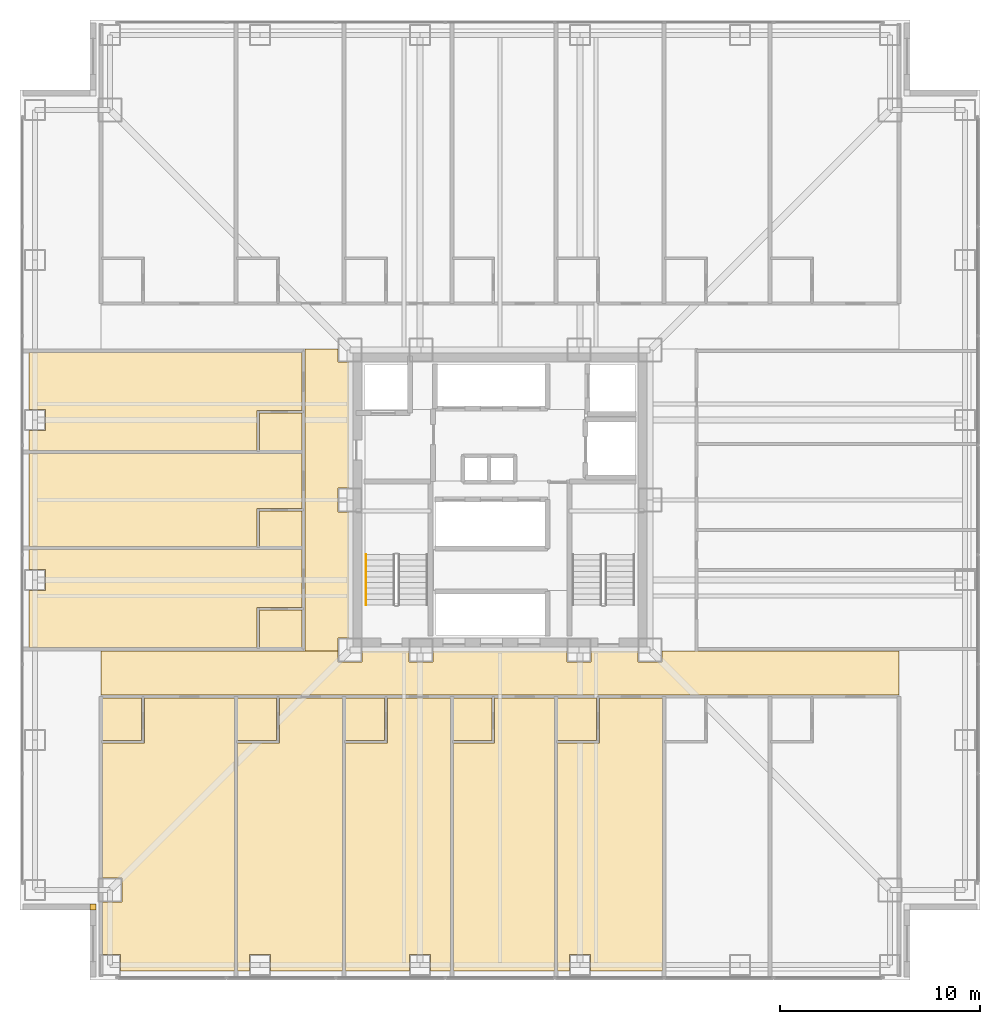
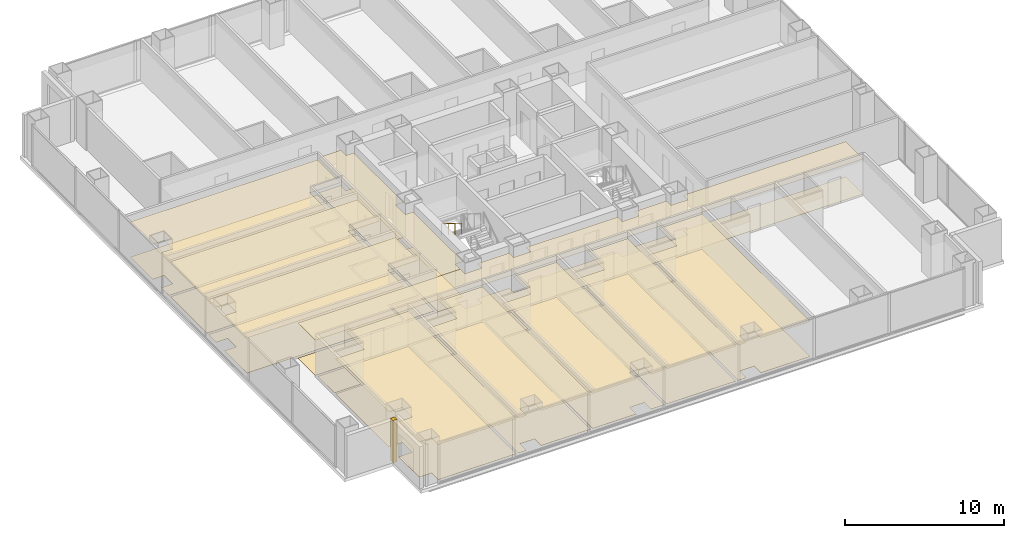
# One storey, part 15 of 17: 29 coverings, 1 railing.
"""IFC4 building model written with IfcOpenShell, lengths in metres."""

from ifc_helpers import new_model, si_unit, direction, frame, origin, origin_2d, place, context, subcontext, project, spatial, polyline, circle, outline, extrude, material, layer, layer_set, type_object, element, save


model = new_model("IFC4")

# Units and contexts
model_context = context("Model", 3, precision=1e-05, world=origin(), true_north=direction((0.0, 1.0)))
body_context = subcontext(model_context, "Body", "Model", "MODEL_VIEW")
ifc_project = project(units=[si_unit("LENGTHUNIT", "METRE"), si_unit("AREAUNIT", "SQUARE_METRE"), si_unit("VOLUMEUNIT", "CUBIC_METRE"), si_unit("PLANEANGLEUNIT", "RADIAN"), si_unit("MASSUNIT", "GRAM", prefix="KILO")], contexts=[model_context])

# Site, building, storey
site_placement = place(None, origin())
site = spatial("IfcSite", under=ifc_project, at=site_placement, CompositionType="ELEMENT")
building_placement = place(site_placement, origin())
building = spatial("IfcBuilding", under=site, at=building_placement, Name="Trevonay Congress Spire", CompositionType="ELEMENT")
storey_placement = place(building_placement, frame((0.0, 0.0, 30.5)))
storey = spatial("IfcBuildingStorey", under=building, at=storey_placement, Name="L06", CompositionType="ELEMENT", Elevation=30.5)

# Coverings
ifc_material_1 = material(Name="Acoustic Mineral Fibre Board", Category="gypsum")
ifc_layer_1 = layer(ifc_material_1, 0.02490234375, Name="Acoustic Mineral Fibre Board")
ifc_layer_set_1 = layer_set([ifc_layer_1], Name="Acoustic Mineral Fibre Board")
covering_type_1 = type_object("IfcCoveringType", Name="COV-CEIL-ACOUSTIC", PredefinedType="CEILING", material=ifc_layer_set_1)
covering_1_placement = place(storey_placement, frame((0.0, 0.0, 2.699951171875)))
element("IfcCovering", 1, at=covering_1_placement, inside=storey, type_object=covering_type_1, Name="L06 Hotel Floor Corridor South acoustic suspended ceiling", PredefinedType="CEILING", context=body_context, shape_type="SweptSolid", body=[
    extrude(outline(polyline([(19.949951171875, -7.550048828125), (19.949951171875, -9.75), (-19.949951171875, -9.75), (-19.949951171875, -7.550048828125), (-8.110107421875, -7.550048828125), (-8.110107421875, -8.110107421875), (-6.889892578125, -8.110107421875), (-6.889892578125, -7.550048828125), (-4.56005859375, -7.550048828125), (-4.56005859375, -8.110107421875), (-3.340087890625, -8.110107421875), (-3.340087890625, -7.550048828125), (3.340087890625, -7.550048828125), (3.340087890625, -8.110107421875), (4.56005859375, -8.110107421875), (4.56005859375, -7.550048828125), (6.889892578125, -7.550048828125), (6.889892578125, -8.110107421875), (8.110107421875, -8.110107421875), (8.110107421875, -7.550048828125), (19.949951171875, -7.550048828125)])), origin(), (0.0, 0.0, 1.0), 0.025146484375),
])
covering_2_placement = place(storey_placement, frame((0.0, 0.0, 2.699951171875)))
element("IfcCovering", 2, at=covering_2_placement, inside=storey, type_object=covering_type_1, Name="L06 Hotel Floor Corridor West acoustic suspended ceiling", PredefinedType="CEILING", context=body_context, shape_type="SweptSolid", body=[
    extrude(outline(polyline([(-9.75, 7.550048828125), (-8.110107421875, 7.550048828125), (-8.110107421875, 6.889892578125), (-7.550048828125, 6.889892578125), (-7.550048828125, 0.610107421875), (-8.110107421875, 0.610107421875), (-8.110107421875, -0.610107421875), (-7.550048828125, -0.610107421875), (-7.550048828125, -6.889892578125), (-8.110107421875, -6.889892578125), (-8.110107421875, -7.550048828125), (-9.75, -7.550048828125), (-9.75, 7.550048828125)])), origin(), (0.0, 0.0, 1.0), 0.025146484375),
])
covering_3_placement = place(storey_placement, frame((0.0, 0.0, 2.699951171875)))
element("IfcCovering", 3, at=covering_3_placement, inside=storey, type_object=covering_type_1, Name="L06 Corner Hotel Suite acoustic suspended ceiling", PredefinedType="CEILING", context=body_context, shape_type="SweptSolid", body=[
    extrude(outline(polyline([(-19.8701171875, -12.139892578125), (-17.780029296875, -12.139892578125), (-17.780029296875, -9.909912109375), (-13.280029296875, -9.909912109375), (-13.280029296875, -23.550048828125), (-18.965087890625, -23.550048828125), (-18.965087890625, -22.715087890625), (-19.8701171875, -22.715087890625), (-19.8701171875, -20.110107421875), (-18.889892578125, -20.110107421875), (-18.889892578125, -18.889892578125), (-19.8701171875, -18.889892578125), (-19.8701171875, -12.139892578125)])), origin(), (0.0, 0.0, 1.0), 0.025146484375),
])
covering_4_placement = place(storey_placement, frame((0.0, 0.0, 2.699951171875)))
element("IfcCovering", 4, at=covering_4_placement, inside=storey, type_object=covering_type_1, Name="L06 Hotel Guest Room acoustic suspended ceiling", PredefinedType="CEILING", context=body_context, shape_type="SweptSolid", body=[
    extrude(outline(polyline([(-13.1201171875, -23.550048828125), (-13.1201171875, -12.139892578125), (-11.030029296875, -12.139892578125), (-11.030029296875, -9.909912109375), (-7.8798828125, -9.909912109375), (-7.8798828125, -23.550048828125), (-11.465087890625, -23.550048828125), (-11.465087890625, -22.715087890625), (-12.534912109375, -22.715087890625), (-12.534912109375, -23.550048828125), (-13.1201171875, -23.550048828125)])), origin(), (0.0, 0.0, 1.0), 0.025146484375),
])
covering_5_placement = place(storey_placement, frame((0.0, 0.0, 2.699951171875)))
element("IfcCovering", 5, at=covering_5_placement, inside=storey, type_object=covering_type_1, Name="L06 Hotel Guest Room acoustic suspended ceiling", PredefinedType="CEILING", context=body_context, shape_type="SweptSolid", body=[
    extrude(outline(polyline([(-7.719970703125, -23.550048828125), (-7.719970703125, -12.139892578125), (-5.6298828125, -12.139892578125), (-5.6298828125, -9.909912109375), (-2.47998046875, -9.909912109375), (-2.47998046875, -23.550048828125), (-3.465087890625, -23.550048828125), (-3.465087890625, -22.715087890625), (-4.534912109375, -22.715087890625), (-4.534912109375, -23.550048828125), (-7.719970703125, -23.550048828125)])), origin(), (0.0, 0.0, 1.0), 0.025146484375),
])
covering_6_placement = place(storey_placement, frame((0.0, 0.0, 2.699951171875)))
element("IfcCovering", 6, at=covering_6_placement, inside=storey, type_object=covering_type_1, Name="L06 Hotel Guest Room acoustic suspended ceiling", PredefinedType="CEILING", context=body_context, shape_type="SweptSolid", body=[
    extrude(outline(polyline([(-2.320068359375, -23.550048828125), (2.719970703125, -23.550048828125), (2.719970703125, -9.909912109375), (-0.264892578125, -9.909912109375), (-0.264892578125, -12.139892578125), (-2.320068359375, -12.139892578125), (-2.320068359375, -23.550048828125)])), origin(), (0.0, 0.0, 1.0), 0.025146484375),
])
covering_7_placement = place(storey_placement, frame((0.0, 0.0, 2.699951171875)))
element("IfcCovering", 7, at=covering_7_placement, inside=storey, type_object=covering_type_1, Name="L06 Hotel Guest Room acoustic suspended ceiling", PredefinedType="CEILING", context=body_context, shape_type="SweptSolid", body=[
    extrude(outline(polyline([(2.8798828125, -23.550048828125), (2.8798828125, -12.139892578125), (4.969970703125, -12.139892578125), (4.969970703125, -9.909912109375), (8.1201171875, -9.909912109375), (8.1201171875, -23.550048828125), (4.534912109375, -23.550048828125), (4.534912109375, -22.715087890625), (3.465087890625, -22.715087890625), (3.465087890625, -23.550048828125), (2.8798828125, -23.550048828125)])), origin(), (0.0, 0.0, 1.0), 0.025146484375),
])
covering_8_placement = place(storey_placement, frame((0.0, 0.0, 2.699951171875)))
element("IfcCovering", 8, at=covering_8_placement, inside=storey, type_object=covering_type_1, Name="L06 Hotel Guest Room acoustic suspended ceiling", PredefinedType="CEILING", context=body_context, shape_type="SweptSolid", body=[
    extrude(outline(polyline([(-23.550048828125, -4.534912109375), (-22.715087890625, -4.534912109375), (-22.715087890625, -3.465087890625), (-23.550048828125, -3.465087890625), (-23.550048828125, -2.47998046875), (-9.909912109375, -2.47998046875), (-9.909912109375, -5.3720703125), (-12.139892578125, -5.3720703125), (-12.139892578125, -7.3701171875), (-23.550048828125, -7.3701171875), (-23.550048828125, -4.534912109375)])), origin(), (0.0, 0.0, 1.0), 0.025146484375),
])
covering_9_placement = place(storey_placement, frame((0.0, 0.0, 2.699951171875)))
element("IfcCovering", 9, at=covering_9_placement, inside=storey, type_object=covering_type_1, Name="L06 Corner Hotel Suite acoustic suspended ceiling", PredefinedType="CEILING", context=body_context, shape_type="SweptSolid", body=[
    extrude(outline(polyline([(-23.550048828125, -2.320068359375), (-23.550048828125, 2.320068359375), (-9.909912109375, 2.320068359375), (-9.909912109375, -0.4169921875), (-12.139892578125, -0.4169921875), (-12.139892578125, -2.320068359375), (-23.550048828125, -2.320068359375)])), origin(), (0.0, 0.0, 1.0), 0.025146484375),
])
covering_10_placement = place(storey_placement, frame((0.0, 0.0, 2.699951171875)))
element("IfcCovering", 10, at=covering_10_placement, inside=storey, type_object=covering_type_1, Name="L06 Hotel Guest Room acoustic suspended ceiling", PredefinedType="CEILING", context=body_context, shape_type="SweptSolid", body=[
    extrude(outline(polyline([(-23.550048828125, 3.465087890625), (-22.715087890625, 3.465087890625), (-22.715087890625, 4.534912109375), (-23.550048828125, 4.534912109375), (-23.550048828125, 7.3701171875), (-9.909912109375, 7.3701171875), (-9.909912109375, 4.47802734375), (-12.139892578125, 4.47802734375), (-12.139892578125, 2.47998046875), (-23.550048828125, 2.47998046875), (-23.550048828125, 3.465087890625)])), origin(), (0.0, 0.0, 1.0), 0.025146484375),
])
ifc_material_2 = material(Name="Polished Granite Floor Tile", Category="masonry")
ifc_layer_2 = layer(ifc_material_2, 0.02001953125, Name="Polished Granite Floor Tile")
ifc_layer_set_2 = layer_set([ifc_layer_2], Name="Polished Granite Floor Tile")
covering_type_2 = type_object("IfcCoveringType", Name="COV-FLOOR-STONE", PredefinedType="FLOORING", material=ifc_layer_set_2)
covering_11_placement = place(storey_placement, origin())
element("IfcCovering", 11, at=covering_11_placement, inside=storey, type_object=covering_type_2, Name="L06 Hotel Floor Corridor South floor finish", PredefinedType="FLOORING", context=body_context, shape_type="SweptSolid", body=[
    extrude(outline(polyline([(19.949951171875, -7.550048828125), (19.949951171875, -9.75), (-19.949951171875, -9.75), (-19.949951171875, -7.550048828125), (-8.110107421875, -7.550048828125), (-8.110107421875, -8.110107421875), (-6.889892578125, -8.110107421875), (-6.889892578125, -7.550048828125), (-4.56005859375, -7.550048828125), (-4.56005859375, -8.110107421875), (-3.340087890625, -8.110107421875), (-3.340087890625, -7.550048828125), (3.340087890625, -7.550048828125), (3.340087890625, -8.110107421875), (4.56005859375, -8.110107421875), (4.56005859375, -7.550048828125), (6.889892578125, -7.550048828125), (6.889892578125, -8.110107421875), (8.110107421875, -8.110107421875), (8.110107421875, -7.550048828125), (19.949951171875, -7.550048828125)])), origin(), (0.0, 0.0, 1.0), 0.02001953125),
])
covering_12_placement = place(storey_placement, origin())
element("IfcCovering", 12, at=covering_12_placement, inside=storey, type_object=covering_type_2, Name="L06 Hotel Floor Corridor West floor finish", PredefinedType="FLOORING", context=body_context, shape_type="SweptSolid", body=[
    extrude(outline(polyline([(-9.75, 7.550048828125), (-8.110107421875, 7.550048828125), (-8.110107421875, 6.889892578125), (-7.550048828125, 6.889892578125), (-7.550048828125, 0.610107421875), (-8.110107421875, 0.610107421875), (-8.110107421875, -0.610107421875), (-7.550048828125, -0.610107421875), (-7.550048828125, -6.889892578125), (-8.110107421875, -6.889892578125), (-8.110107421875, -7.550048828125), (-9.75, -7.550048828125), (-9.75, 7.550048828125)])), origin(), (0.0, 0.0, 1.0), 0.02001953125),
])
covering_13_placement = place(storey_placement, origin())
element("IfcCovering", 13, at=covering_13_placement, inside=storey, type_object=covering_type_2, Name="L06 En-suite Bathroom floor finish", PredefinedType="FLOORING", context=body_context, shape_type="SweptSolid", body=[
    extrude(outline(polyline([(-19.8701171875, -12.02001953125), (-17.919921875, -12.02001953125), (-17.919921875, -9.909912109375), (-19.8701171875, -9.909912109375), (-19.8701171875, -12.02001953125)])), origin(), (0.0, 0.0, 1.0), 0.02001953125),
])
covering_14_placement = place(storey_placement, origin())
element("IfcCovering", 14, at=covering_14_placement, inside=storey, type_object=covering_type_2, Name="L06 En-suite Bathroom floor finish", PredefinedType="FLOORING", context=body_context, shape_type="SweptSolid", body=[
    extrude(outline(polyline([(-13.1201171875, -12.02001953125), (-11.169921875, -12.02001953125), (-11.169921875, -9.909912109375), (-13.1201171875, -9.909912109375), (-13.1201171875, -12.02001953125)])), origin(), (0.0, 0.0, 1.0), 0.02001953125),
])
covering_15_placement = place(storey_placement, origin())
element("IfcCovering", 15, at=covering_15_placement, inside=storey, type_object=covering_type_2, Name="L06 En-suite Bathroom floor finish", PredefinedType="FLOORING", context=body_context, shape_type="SweptSolid", body=[
    extrude(outline(polyline([(-7.719970703125, -12.02001953125), (-5.77001953125, -12.02001953125), (-5.77001953125, -9.909912109375), (-7.719970703125, -9.909912109375), (-7.719970703125, -12.02001953125)])), origin(), (0.0, 0.0, 1.0), 0.02001953125),
])
covering_16_placement = place(storey_placement, origin())
element("IfcCovering", 16, at=covering_16_placement, inside=storey, type_object=covering_type_2, Name="L06 En-suite Bathroom floor finish", PredefinedType="FLOORING", context=body_context, shape_type="SweptSolid", body=[
    extrude(outline(polyline([(-2.320068359375, -12.02001953125), (-0.405029296875, -12.02001953125), (-0.405029296875, -9.909912109375), (-2.320068359375, -9.909912109375), (-2.320068359375, -12.02001953125)])), origin(), (0.0, 0.0, 1.0), 0.02001953125),
])
covering_17_placement = place(storey_placement, origin())
element("IfcCovering", 17, at=covering_17_placement, inside=storey, type_object=covering_type_2, Name="L06 En-suite Bathroom floor finish", PredefinedType="FLOORING", context=body_context, shape_type="SweptSolid", body=[
    extrude(outline(polyline([(2.8798828125, -12.02001953125), (4.830078125, -12.02001953125), (4.830078125, -9.909912109375), (2.8798828125, -9.909912109375), (2.8798828125, -12.02001953125)])), origin(), (0.0, 0.0, 1.0), 0.02001953125),
])
covering_18_placement = place(storey_placement, origin())
element("IfcCovering", 18, at=covering_18_placement, inside=storey, type_object=covering_type_2, Name="L06 En-suite Bathroom floor finish", PredefinedType="FLOORING", context=body_context, shape_type="SweptSolid", body=[
    extrude(outline(polyline([(-12.02001953125, -7.3701171875), (-9.909912109375, -7.3701171875), (-9.909912109375, -5.511962890625), (-12.02001953125, -5.511962890625), (-12.02001953125, -7.3701171875)])), origin(), (0.0, 0.0, 1.0), 0.02001953125),
])
covering_19_placement = place(storey_placement, origin())
element("IfcCovering", 19, at=covering_19_placement, inside=storey, type_object=covering_type_2, Name="L06 En-suite Bathroom floor finish", PredefinedType="FLOORING", context=body_context, shape_type="SweptSolid", body=[
    extrude(outline(polyline([(-12.02001953125, -2.320068359375), (-9.909912109375, -2.320068359375), (-9.909912109375, -0.556884765625), (-12.02001953125, -0.556884765625), (-12.02001953125, -2.320068359375)])), origin(), (0.0, 0.0, 1.0), 0.02001953125),
])
covering_20_placement = place(storey_placement, origin())
element("IfcCovering", 20, at=covering_20_placement, inside=storey, type_object=covering_type_2, Name="L06 En-suite Bathroom floor finish", PredefinedType="FLOORING", context=body_context, shape_type="SweptSolid", body=[
    extrude(outline(polyline([(-12.02001953125, 2.47998046875), (-9.909912109375, 2.47998046875), (-9.909912109375, 4.337890625), (-12.02001953125, 4.337890625), (-12.02001953125, 2.47998046875)])), origin(), (0.0, 0.0, 1.0), 0.02001953125),
])
ifc_material_3 = material(Name="Engineered Oak Flooring", Category="wood")
ifc_layer_3 = layer(ifc_material_3, 0.01806640625, Name="Engineered Oak Flooring")
ifc_layer_set_3 = layer_set([ifc_layer_3], Name="Engineered Oak Flooring")
covering_type_3 = type_object("IfcCoveringType", Name="COV-FLOOR-TIMBER", PredefinedType="FLOORING", material=ifc_layer_set_3)
covering_21_placement = place(storey_placement, origin())
element("IfcCovering", 21, at=covering_21_placement, inside=storey, type_object=covering_type_3, Name="L06 Corner Hotel Suite floor finish", PredefinedType="FLOORING", context=body_context, shape_type="SweptSolid", body=[
    extrude(outline(polyline([(-19.8701171875, -12.139892578125), (-17.780029296875, -12.139892578125), (-17.780029296875, -9.909912109375), (-13.280029296875, -9.909912109375), (-13.280029296875, -23.550048828125), (-18.965087890625, -23.550048828125), (-18.965087890625, -22.715087890625), (-19.8701171875, -22.715087890625), (-19.8701171875, -20.110107421875), (-18.889892578125, -20.110107421875), (-18.889892578125, -18.889892578125), (-19.8701171875, -18.889892578125), (-19.8701171875, -12.139892578125)])), origin(), (0.0, 0.0, 1.0), 0.01806640625),
])
covering_22_placement = place(storey_placement, origin())
element("IfcCovering", 22, at=covering_22_placement, inside=storey, type_object=covering_type_3, Name="L06 Hotel Guest Room floor finish", PredefinedType="FLOORING", context=body_context, shape_type="SweptSolid", body=[
    extrude(outline(polyline([(-13.1201171875, -23.550048828125), (-13.1201171875, -12.139892578125), (-11.030029296875, -12.139892578125), (-11.030029296875, -9.909912109375), (-7.8798828125, -9.909912109375), (-7.8798828125, -23.550048828125), (-11.465087890625, -23.550048828125), (-11.465087890625, -22.715087890625), (-12.534912109375, -22.715087890625), (-12.534912109375, -23.550048828125), (-13.1201171875, -23.550048828125)])), origin(), (0.0, 0.0, 1.0), 0.01806640625),
])
covering_23_placement = place(storey_placement, origin())
element("IfcCovering", 23, at=covering_23_placement, inside=storey, type_object=covering_type_3, Name="L06 Hotel Guest Room floor finish", PredefinedType="FLOORING", context=body_context, shape_type="SweptSolid", body=[
    extrude(outline(polyline([(-7.719970703125, -23.550048828125), (-7.719970703125, -12.139892578125), (-5.6298828125, -12.139892578125), (-5.6298828125, -9.909912109375), (-2.47998046875, -9.909912109375), (-2.47998046875, -23.550048828125), (-3.465087890625, -23.550048828125), (-3.465087890625, -22.715087890625), (-4.534912109375, -22.715087890625), (-4.534912109375, -23.550048828125), (-7.719970703125, -23.550048828125)])), origin(), (0.0, 0.0, 1.0), 0.01806640625),
])
covering_24_placement = place(storey_placement, origin())
element("IfcCovering", 24, at=covering_24_placement, inside=storey, type_object=covering_type_3, Name="L06 Hotel Guest Room floor finish", PredefinedType="FLOORING", context=body_context, shape_type="SweptSolid", body=[
    extrude(outline(polyline([(-2.320068359375, -23.550048828125), (2.719970703125, -23.550048828125), (2.719970703125, -9.909912109375), (-0.264892578125, -9.909912109375), (-0.264892578125, -12.139892578125), (-2.320068359375, -12.139892578125), (-2.320068359375, -23.550048828125)])), origin(), (0.0, 0.0, 1.0), 0.01806640625),
])
covering_25_placement = place(storey_placement, origin())
element("IfcCovering", 25, at=covering_25_placement, inside=storey, type_object=covering_type_3, Name="L06 Hotel Guest Room floor finish", PredefinedType="FLOORING", context=body_context, shape_type="SweptSolid", body=[
    extrude(outline(polyline([(2.8798828125, -23.550048828125), (2.8798828125, -12.139892578125), (4.969970703125, -12.139892578125), (4.969970703125, -9.909912109375), (8.1201171875, -9.909912109375), (8.1201171875, -23.550048828125), (4.534912109375, -23.550048828125), (4.534912109375, -22.715087890625), (3.465087890625, -22.715087890625), (3.465087890625, -23.550048828125), (2.8798828125, -23.550048828125)])), origin(), (0.0, 0.0, 1.0), 0.01806640625),
])
covering_26_placement = place(storey_placement, origin())
element("IfcCovering", 26, at=covering_26_placement, inside=storey, type_object=covering_type_3, Name="L06 Hotel Guest Room floor finish", PredefinedType="FLOORING", context=body_context, shape_type="SweptSolid", body=[
    extrude(outline(polyline([(-23.550048828125, -4.534912109375), (-22.715087890625, -4.534912109375), (-22.715087890625, -3.465087890625), (-23.550048828125, -3.465087890625), (-23.550048828125, -2.47998046875), (-9.909912109375, -2.47998046875), (-9.909912109375, -5.3720703125), (-12.139892578125, -5.3720703125), (-12.139892578125, -7.3701171875), (-23.550048828125, -7.3701171875), (-23.550048828125, -4.534912109375)])), origin(), (0.0, 0.0, 1.0), 0.01806640625),
])
covering_27_placement = place(storey_placement, origin())
element("IfcCovering", 27, at=covering_27_placement, inside=storey, type_object=covering_type_3, Name="L06 Corner Hotel Suite floor finish", PredefinedType="FLOORING", context=body_context, shape_type="SweptSolid", body=[
    extrude(outline(polyline([(-23.550048828125, -2.320068359375), (-23.550048828125, 2.320068359375), (-9.909912109375, 2.320068359375), (-9.909912109375, -0.4169921875), (-12.139892578125, -0.4169921875), (-12.139892578125, -2.320068359375), (-23.550048828125, -2.320068359375)])), origin(), (0.0, 0.0, 1.0), 0.01806640625),
])
covering_28_placement = place(storey_placement, origin())
element("IfcCovering", 28, at=covering_28_placement, inside=storey, type_object=covering_type_3, Name="L06 Hotel Guest Room floor finish", PredefinedType="FLOORING", context=body_context, shape_type="SweptSolid", body=[
    extrude(outline(polyline([(-23.550048828125, 3.465087890625), (-22.715087890625, 3.465087890625), (-22.715087890625, 4.534912109375), (-23.550048828125, 4.534912109375), (-23.550048828125, 7.3701171875), (-9.909912109375, 7.3701171875), (-9.909912109375, 4.47802734375), (-12.139892578125, 4.47802734375), (-12.139892578125, 2.47998046875), (-23.550048828125, 2.47998046875), (-23.550048828125, 3.465087890625)])), origin(), (0.0, 0.0, 1.0), 0.01806640625),
])
ifc_material_4 = material(Name="Pale Anodised Aluminium EN AW-6063-T6", Category="aluminium")
ifc_layer_4 = layer(ifc_material_4, 0.0400390625, Name="Pale Anodised Aluminium EN AW-6063-T6")
ifc_layer_set_4 = layer_set([ifc_layer_4], Name="Pale Anodised Aluminium EN AW-6063-T6")
covering_type_4 = type_object("IfcCoveringType", Name="COV-SPANDREL-PALE-METAL", PredefinedType="CLADDING", material=ifc_layer_set_4)
covering_29_placement = place(storey_placement, origin())
element("IfcCovering", 29, at=covering_29_placement, inside=storey, type_object=covering_type_4, Name="L06 SW re-entrant notch corner closure trim", PredefinedType="CLADDING", context=body_context, shape_type="SweptSolid", body=[
    extrude(outline(polyline([(-20.5, -20.5), (-20.199951171875, -20.5), (-20.199951171875, -20.199951171875), (-20.5, -20.199951171875), (-20.5, -20.5)])), origin(), (0.0, 0.0, 1.0), 3.25),
])

# Railing
railing_type = type_object("IfcRailingType", Name="RAL-STAIR-HANDRAIL", PredefinedType="HANDRAIL", material=ifc_material_4)
railing_placement = place(storey_placement, frame((-6.699951171875, -2.72998046875, 1.925048828125)))
element("IfcRailing", 30, at=railing_placement, inside=storey, type_object=railing_type, Name="L06 ST-1 stair handrail 2", PredefinedType="HANDRAIL", context=body_context, shape_type="SweptSolid", body=[
    extrude(circle(Radius=0.02392578125, at=origin_2d()), frame((0.0, 0.0, 0.8759765625), z_axis=(0.0, -0.848007534815, 0.529984170421), x_axis=(1.0, 0.0, 0.0)), (0.0, 0.0, 1.0), 2.9716796875),
    extrude(circle(Radius=0.02099609375, at=origin_2d()), origin(), (0.0, 0.0, 1.0), 0.851806640625),
    extrude(circle(Radius=0.02099609375, at=origin_2d()), frame((0.0, -0.840087890625, 0.52490234375)), (0.0, 0.0, 1.0), 0.851806640625),
    extrude(circle(Radius=0.02099609375, at=origin_2d()), frame((0.0, -1.679931640625, 1.050048828125)), (0.0, 0.0, 1.0), 0.851806640625),
    extrude(circle(Radius=0.02099609375, at=origin_2d()), frame((0.0, -2.52001953125, 1.574951171875)), (0.0, 0.0, 1.0), 0.851806640625),
])

save(model, "model.ifc")
